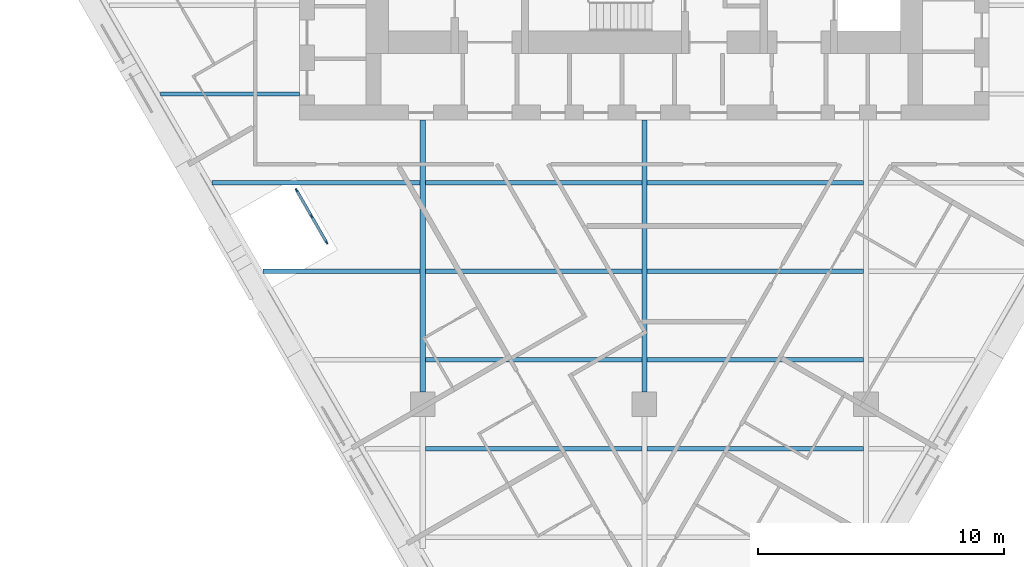
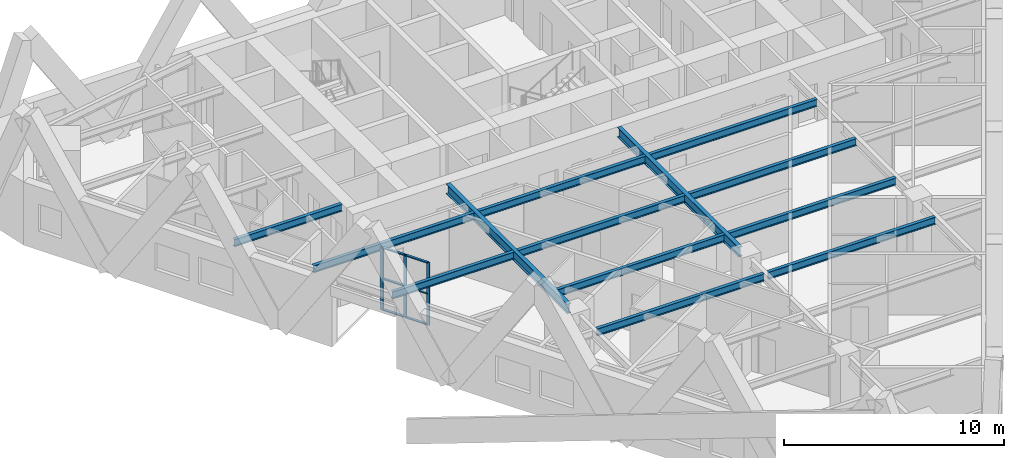
# One storey, part 2 of 12: 13 beams, 9 members, 1 element without a shape of its own.
"""IFC4 building model written with IfcOpenShell, lengths in metres."""

import ifcopenshell
import ifcopenshell.guid

model = None  # the IFC model being written
_history = None  # IfcOwnerHistory: only IFC2X3 demands one
_inside = {}  # id of a spatial element -> (the spatial element, [elements in it])
_under = {}  # id of a project, library or spatial element -> (it, [spatial elements below it])
_declared = {}  # id of a project -> (the project, [libraries it declares])
_typed = {}  # id of a type object -> (the type object, [elements of that type])
_made_of = {}  # id of a material, layer set ... -> (it, [elements and type objects made of it])


def new_model(schema):
    """Start an empty IFC model of exactly this schema.

    Asked for "IFC4X3", IfcOpenShell would pick the latest addendum, in which some entities
    have other attributes; the version numbers below select the first issue.
    IFC2X3 requires an IfcOwnerHistory on every rooted entity: one is made here for all.
    """
    global model, _history
    if schema == "IFC4X3":
        model = ifcopenshell.file(schema_version=(4, 3, 0, 0))
    else:
        model = ifcopenshell.file(schema=schema)
    _inside.clear()
    _under.clear()
    _declared.clear()
    _typed.clear()
    _made_of.clear()
    _history = None
    if model.schema == "IFC2X3":
        org = make("IfcOrganization", Name="unknown")
        user = make(
            "IfcPersonAndOrganization",
            ThePerson=make("IfcPerson", FamilyName="unknown"),
            TheOrganization=org,
        )
        app = make(
            "IfcApplication",
            ApplicationDeveloper=org,
            Version="unknown",
            ApplicationFullName="unknown",
            ApplicationIdentifier="unknown",
        )
        _history = make(
            "IfcOwnerHistory",
            OwningUser=user,
            OwningApplication=app,
            ChangeAction="ADDED",
            CreationDate=0,
        )
    return model


def make(cls, **values):
    """One entity of the class cls with the attributes given. An attribute that is None is left unset."""
    return model.create_entity(
        cls, **{name: value for name, value in values.items() if value is not None}
    )


def rooted(cls, **values):
    """An entity with a GlobalId (a new one), such as an element, a storey or a relation."""
    return make(cls, GlobalId=ifcopenshell.guid.new(), OwnerHistory=_history, **values)


def si_unit(unit_type, name, prefix=None):
    """IfcSIUnit, for example si_unit("LENGTHUNIT", "METRE", prefix="MILLI")."""
    return make("IfcSIUnit", UnitType=unit_type, Prefix=prefix, Name=name)


def assignment(units):
    """IfcUnitAssignment: the units of a project."""
    return None if units is None else make("IfcUnitAssignment", Units=units)


def point(xyz):
    """IfcCartesianPoint."""
    return None if xyz is None else make("IfcCartesianPoint", Coordinates=xyz)


def direction(xyz):
    """IfcDirection."""
    return None if xyz is None else make("IfcDirection", DirectionRatios=xyz)


def frame(location, z_axis=None, x_axis=None):
    """IfcAxis2Placement3D, a coordinate frame: its origin and axes. An axis left out is left unset."""
    return make(
        "IfcAxis2Placement3D",
        Location=point(location),
        Axis=direction(z_axis),
        RefDirection=direction(x_axis),
    )


def frame_2d(location, x_axis=None):
    """IfcAxis2Placement2D, a coordinate frame in the plane: its origin and x axis."""
    return make(
        "IfcAxis2Placement2D", Location=point(location), RefDirection=direction(x_axis)
    )


def origin():
    """The frame at (0, 0, 0) with its axes left unset."""
    return frame((0.0, 0.0, 0.0))


def origin_2d():
    """The frame at (0, 0) in the plane with its x axis left unset."""
    return frame_2d((0.0, 0.0))


def place(relative_to, where):
    """IfcLocalPlacement: puts the frame where relative to a parent placement (None: the world)."""
    return make(
        "IfcLocalPlacement", PlacementRelTo=relative_to, RelativePlacement=where
    )


def context(
    kind, dimensions, precision=None, world=None, true_north=None, identifier=None
):
    """IfcGeometricRepresentationContext, for example the 3D "Model" context."""
    return make(
        "IfcGeometricRepresentationContext",
        ContextIdentifier=identifier,
        ContextType=kind,
        CoordinateSpaceDimension=dimensions,
        Precision=precision,
        WorldCoordinateSystem=world,
        TrueNorth=true_north,
    )


def subcontext(parent, identifier, kind, view, scale=None):
    """IfcGeometricRepresentationSubContext, for example "Body" below "Model"."""
    return make(
        "IfcGeometricRepresentationSubContext",
        ContextIdentifier=identifier,
        ContextType=kind,
        ParentContext=parent,
        TargetScale=scale,
        TargetView=view,
    )


def project(units=None, contexts=None):
    """IfcProject with its units and contexts."""
    return rooted(
        "IfcProject",
        Name="project",
        RepresentationContexts=contexts,
        UnitsInContext=assignment(units),
    )


def spatial(cls, under=None, at=None, **own):
    """A site, building, storey or space (cls), placed at a placement, below another one or the project."""
    s = rooted(cls, ObjectPlacement=at, **own)
    if under is not None:
        _under.setdefault(under.id(), (under, []))[1].append(s)
    return s


def profile(cls, at=None, kind="AREA", **sizes):
    """A parametric profile (cls). Its sizes go by their IFC names, for example OverallWidth=200.0."""
    return make(cls, ProfileType=kind, Position=at, **sizes)


def rectangle(**sizes):
    """IfcRectangleProfileDef."""
    return profile("IfcRectangleProfileDef", **sizes)


def i_section(**sizes):
    """IfcIShapeProfileDef."""
    return profile("IfcIShapeProfileDef", **sizes)


def extrude(swept, where, along, depth):
    """IfcExtrudedAreaSolid: the profile swept, set in the frame where, extruded along a direction by depth."""
    return make(
        "IfcExtrudedAreaSolid",
        SweptArea=swept,
        Position=where,
        ExtrudedDirection=direction(along),
        Depth=depth,
    )


def shape(context_of_items, identifier, shape_type, items):
    """IfcShapeRepresentation: the items that make up one representation, for example the "Body"."""
    return make(
        "IfcShapeRepresentation",
        ContextOfItems=context_of_items,
        RepresentationIdentifier=identifier,
        RepresentationType=shape_type,
        Items=items,
    )


def material(Name=None, Category=None):
    """IfcMaterial."""
    return make("IfcMaterial", Name=Name, Category=Category)


def material_profile(
    of_material, cross_section, Name=None, Category=None, Priority=None
):
    """IfcMaterialProfile: a cross section and its material."""
    return make(
        "IfcMaterialProfile",
        Name=Name,
        Material=of_material,
        Profile=cross_section,
        Priority=Priority,
        Category=Category,
    )


def profile_set(profiles, Name=None, composite=None):
    """IfcMaterialProfileSet."""
    return make(
        "IfcMaterialProfileSet",
        Name=Name,
        MaterialProfiles=profiles,
        CompositeProfile=composite,
    )


def made_of(thing, what):
    """Note that an element or type object is made of a material, layer set ...; save() writes the relation."""
    if what is not None:
        _made_of.setdefault(what.id(), (what, []))[1].append(thing)
    return thing


def type_object(cls, material=None, **own):
    """A type object (cls), such as IfcWallType, which elements share."""
    return made_of(rooted(cls, **own), material)


def element(
    cls,
    number,
    at=None,
    inside=None,
    cuts=None,
    type_object=None,
    material=None,
    context=None,
    identifier="Body",
    shape_type=None,
    held_by="IfcProductDefinitionShape",
    body=None,
    shapes=None,
    **own,
):
    """One element of the class cls, such as IfcWall. Its Tag is "e" and its number.

    at: its placement. inside: the storey or other place that contains it. cuts: it is an
    opening in that element (IfcRelVoidsElement). A single representation is given by context,
    identifier, shape_type and body (its items); several are given by shapes. held_by: the class
    of the entity that holds the representations. save() writes the other relations.
    """
    e = rooted(cls, Tag="e%d" % number, ObjectPlacement=at, **own)
    if body is not None:
        shapes = [shape(context, identifier, shape_type, body)]
    if shapes is not None:
        e.Representation = make(held_by, Representations=shapes)
    if inside is not None:
        _inside.setdefault(inside.id(), (inside, []))[1].append(e)
    if cuts is not None:
        rooted(
            "IfcRelVoidsElement", RelatingBuildingElement=cuts, RelatedOpeningElement=e
        )
    if type_object is not None:
        _typed.setdefault(type_object.id(), (type_object, []))[1].append(e)
    return made_of(e, material)


def aggregate(whole, parts):
    """IfcRelAggregates: a whole, such as a stair, and the parts it consists of."""
    return rooted("IfcRelAggregates", RelatingObject=whole, RelatedObjects=parts)


def save(model, path):
    """Write the relations noted so far, then the file.

    IfcRelAggregates (storeys below a building ...), IfcRelContainedInSpatialStructure (elements
    in a storey), IfcRelDefinesByType, IfcRelAssociatesMaterial and IfcRelDeclares: one each for
    every whole, place, type object, material and project.
    """
    for whole, parts in _under.values():
        aggregate(whole, parts)
    for where, things in _inside.values():
        rooted(
            "IfcRelContainedInSpatialStructure",
            RelatedElements=things,
            RelatingStructure=where,
        )
    for kind, things in _typed.values():
        rooted("IfcRelDefinesByType", RelatedObjects=things, RelatingType=kind)
    for what, things in _made_of.values():
        rooted("IfcRelAssociatesMaterial", RelatedObjects=things, RelatingMaterial=what)
    for by, libraries in _declared.values():
        rooted("IfcRelDeclares", RelatingContext=by, RelatedDefinitions=libraries)
    model.write(path)


model = new_model("IFC4")

# Units and contexts
model_context = context("Model", 3, precision=1e-05, world=origin(), true_north=direction((0.0, 1.0)))
body_context = subcontext(model_context, "Body", "Model", "MODEL_VIEW")
ifc_project = project(units=[si_unit("LENGTHUNIT", "METRE"), si_unit("AREAUNIT", "SQUARE_METRE"), si_unit("VOLUMEUNIT", "CUBIC_METRE"), si_unit("PLANEANGLEUNIT", "RADIAN"), si_unit("MASSUNIT", "GRAM", prefix="KILO")], contexts=[model_context])

# Site, building, storey
site_placement = place(None, origin())
site = spatial("IfcSite", under=ifc_project, at=site_placement, CompositionType="ELEMENT")
building_placement = place(site_placement, origin())
building = spatial("IfcBuilding", under=site, at=building_placement, Name="Aloe Facet Convention Tower", CompositionType="ELEMENT")
storey_placement = place(building_placement, frame((0.0, 0.0, 56.0)))
storey = spatial("IfcBuildingStorey", under=building, at=storey_placement, Name="L12", CompositionType="ELEMENT", Elevation=56.0)

# Curtain wall, members
ifc_material_1 = material(Name="Aluminium, anodised", Category="aluminium")
curtain_wall_type = type_object("IfcCurtainWallType", Name="EV-CW-TERRACE", PredefinedType="USERDEFINED", material=ifc_material_1)
curtain_wall_placement = place(storey_placement, origin())
curtain_wall = element("IfcCurtainWall", 1, at=curtain_wall_placement, inside=storey, type_object=curtain_wall_type, Name="CW-T02", ObjectType="TERRACE BACK GLAZING", PredefinedType="USERDEFINED")
ifc_material_2 = material(Name="Aluminium, anodised", Category="aluminium")
ifc_material_profile_1 = material_profile(ifc_material_2, rectangle(XDim=0.06005859375, YDim=0.14990234375, at=origin_2d()), Name="AL 60x150")
ifc_profile_set_1 = profile_set([ifc_material_profile_1], Name="Aluminium, anodised")
member_type_1 = type_object("IfcMemberType", Name="EV-MULL-TERRACE", PredefinedType="MULLION", material=ifc_profile_set_1)
member_1_placement = place(storey_placement, frame((65.8759765625, 116.68408203125, -0.14990234375), z_axis=(0.0, 0.0, 1.0), x_axis=(0.866025403837, 0.499999999909, 0.0)))
member_1 = element("IfcMember", 2, at=member_1_placement, type_object=member_type_1, Name="CW-T02 mullion 1", PredefinedType="MULLION", context=body_context, shape_type="SweptSolid", body=[
    extrude(rectangle(XDim=0.06005859375, YDim=0.14990234375, at=origin_2d()), origin(), (0.0, 0.0, 1.0), 3.5),
])
member_2_placement = place(storey_placement, frame((66.48583984375, 115.62744140625, -0.14990234375), z_axis=(0.0, 0.0, 1.0), x_axis=(0.866025403837, 0.499999999909, 0.0)))
member_2 = element("IfcMember", 3, at=member_2_placement, type_object=member_type_1, Name="CW-T02 mullion 2", PredefinedType="MULLION", context=body_context, shape_type="SweptSolid", body=[
    extrude(rectangle(XDim=0.06005859375, YDim=0.14990234375, at=origin_2d()), origin(), (0.0, 0.0, 1.0), 3.5),
])
member_3_placement = place(storey_placement, frame((67.095947265625, 114.571044921875, -0.14990234375), z_axis=(0.0, 0.0, 1.0), x_axis=(0.866025403837, 0.499999999909, 0.0)))
member_3 = element("IfcMember", 4, at=member_3_placement, type_object=member_type_1, Name="CW-T02 mullion 3", PredefinedType="MULLION", context=body_context, shape_type="SweptSolid", body=[
    extrude(rectangle(XDim=0.06005859375, YDim=0.14990234375, at=origin_2d()), origin(), (0.0, 0.0, 1.0), 3.5),
])
ifc_material_3 = material(Name="Aluminium, anodised", Category="aluminium")
ifc_material_profile_2 = material_profile(ifc_material_3, rectangle(XDim=0.1201171875, YDim=0.06005859375, at=origin_2d()), Name="AL 120x60")
ifc_profile_set_2 = profile_set([ifc_material_profile_2], Name="Aluminium, anodised")
member_type_2 = type_object("IfcMemberType", Name="EV-TRAN-TERRACE", PredefinedType="USERDEFINED", material=ifc_profile_set_2)
member_4_placement = place(storey_placement, frame((65.890869140625, 116.658203125, -0.1201171875), z_axis=(0.500032142234, -0.866006845662, 0.0), x_axis=(0.866006845662, 0.500032142234, 0.0)))
member_4 = element("IfcMember", 5, at=member_4_placement, type_object=member_type_2, Name="CW-T02 transom 1.1", ObjectType="TRANSOM", PredefinedType="USERDEFINED", context=body_context, shape_type="SweptSolid", body=[
    extrude(rectangle(XDim=0.1201171875, YDim=0.06005859375, at=origin_2d()), origin(), (0.0, 0.0, 1.0), 1.16015625),
])
member_5_placement = place(storey_placement, frame((65.890869140625, 116.658203125, 1.60009765625), z_axis=(0.500032142234, -0.866006845662, 0.0), x_axis=(0.866006845662, 0.500032142234, 0.0)))
member_5 = element("IfcMember", 6, at=member_5_placement, type_object=member_type_2, Name="CW-T02 transom 1.2", ObjectType="TRANSOM", PredefinedType="USERDEFINED", context=body_context, shape_type="SweptSolid", body=[
    extrude(rectangle(XDim=0.1201171875, YDim=0.06005859375, at=origin_2d()), origin(), (0.0, 0.0, 1.0), 1.16015625),
])
member_6_placement = place(storey_placement, frame((65.890869140625, 116.658203125, 3.320068359375), z_axis=(0.500032142234, -0.866006845662, 0.0), x_axis=(0.866006845662, 0.500032142234, 0.0)))
member_6 = element("IfcMember", 7, at=member_6_placement, type_object=member_type_2, Name="CW-T02 transom 1.3", ObjectType="TRANSOM", PredefinedType="USERDEFINED", context=body_context, shape_type="SweptSolid", body=[
    extrude(rectangle(XDim=0.1201171875, YDim=0.06005859375, at=origin_2d()), origin(), (0.0, 0.0, 1.0), 1.16015625),
])
member_7_placement = place(storey_placement, frame((66.5009765625, 115.6015625, -0.1201171875), z_axis=(0.500032142234, -0.866006845662, 0.0), x_axis=(0.866006845662, 0.500032142234, 0.0)))
member_7 = element("IfcMember", 8, at=member_7_placement, type_object=member_type_2, Name="CW-T02 transom 2.1", ObjectType="TRANSOM", PredefinedType="USERDEFINED", context=body_context, shape_type="SweptSolid", body=[
    extrude(rectangle(XDim=0.1201171875, YDim=0.06005859375, at=origin_2d()), origin(), (0.0, 0.0, 1.0), 1.16015625),
])
member_8_placement = place(storey_placement, frame((66.5009765625, 115.6015625, 1.60009765625), z_axis=(0.500032142234, -0.866006845662, 0.0), x_axis=(0.866006845662, 0.500032142234, 0.0)))
member_8 = element("IfcMember", 9, at=member_8_placement, type_object=member_type_2, Name="CW-T02 transom 2.2", ObjectType="TRANSOM", PredefinedType="USERDEFINED", context=body_context, shape_type="SweptSolid", body=[
    extrude(rectangle(XDim=0.1201171875, YDim=0.06005859375, at=origin_2d()), origin(), (0.0, 0.0, 1.0), 1.16015625),
])
member_9_placement = place(storey_placement, frame((66.5009765625, 115.6015625, 3.320068359375), z_axis=(0.500032142234, -0.866006845662, 0.0), x_axis=(0.866006845662, 0.500032142234, 0.0)))
member_9 = element("IfcMember", 10, at=member_9_placement, type_object=member_type_2, Name="CW-T02 transom 2.3", ObjectType="TRANSOM", PredefinedType="USERDEFINED", context=body_context, shape_type="SweptSolid", body=[
    extrude(rectangle(XDim=0.1201171875, YDim=0.06005859375, at=origin_2d()), origin(), (0.0, 0.0, 1.0), 1.16015625),
])
aggregate(curtain_wall, [member_1, member_2, member_3, member_4, member_5, member_6, member_7, member_8, member_9])

# Beams
ifc_material_4 = material(Name="Steel S355", Category="steel")
ifc_material_profile_3 = material_profile(ifc_material_4, i_section(OverallWidth=0.177734375, OverallDepth=0.402587890625, WebThickness=0.0078125, FlangeThickness=0.010986328125, FilletRadius=0.01025390625, at=origin_2d()), Name="UB 406x178x54")
ifc_profile_set_3 = profile_set([ifc_material_profile_3], Name="Steel S355")
beam_type_1 = type_object("IfcBeamType", Name="SF-B-UB406x178x54", PredefinedType="BEAM", material=ifc_profile_set_3)
beam_1_placement = place(storey_placement, frame((60.351318359375, 120.60009765625, 3.148681640625), z_axis=(1.0, 0.0, 0.0), x_axis=(0.0, 1.0, 0.0)))
element("IfcBeam", 11, at=beam_1_placement, inside=storey, type_object=beam_type_1, Name="Floor beam FB-Z1B-019", PredefinedType="BEAM", context=body_context, shape_type="SweptSolid", body=[
    extrude(i_section(OverallWidth=0.177734375, OverallDepth=0.402587890625, WebThickness=0.0078125, FlangeThickness=0.010986328125, FilletRadius=0.01025390625, at=origin_2d()), origin(), (0.0, 0.0, 1.0), 5.648681640625),
])
beam_2_placement = place(storey_placement, frame((62.429931640625, 117.0, 3.148681640625), z_axis=(1.0, 0.0, 0.0), x_axis=(0.0, 1.0, 0.0)))
element("IfcBeam", 12, at=beam_2_placement, inside=storey, type_object=beam_type_1, Name="Floor beam FB-Z1B-020", PredefinedType="BEAM", context=body_context, shape_type="SweptSolid", body=[
    extrude(i_section(OverallWidth=0.177734375, OverallDepth=0.402587890625, WebThickness=0.0078125, FlangeThickness=0.010986328125, FilletRadius=0.01025390625, at=origin_2d()), origin(), (0.0, 0.0, 1.0), 8.464599609375),
])
beam_3_placement = place(storey_placement, frame((64.50830078125, 113.39990234375, 3.148681640625), z_axis=(1.0, 0.0, 0.0), x_axis=(0.0, 1.0, 0.0)))
element("IfcBeam", 13, at=beam_3_placement, inside=storey, type_object=beam_type_1, Name="Floor beam FB-Z1B-021", PredefinedType="BEAM", context=body_context, shape_type="SweptSolid", body=[
    extrude(i_section(OverallWidth=0.177734375, OverallDepth=0.402587890625, WebThickness=0.0078125, FlangeThickness=0.010986328125, FilletRadius=0.01025390625, at=origin_2d()), origin(), (0.0, 0.0, 1.0), 6.38623046875),
])
for number, where, z_axis, x_axis, name in (
    (14, (71.10546875, 106.199951171875, 3.148681640625), (1.0, 0.0, 0.0), (0.0, 1.0, 0.0), "Floor beam FB-Z1B-025"),
    (15, (71.10546875, 109.800048828125, 3.148681640625), (1.0, 0.0, 0.0), (0.0, 1.0, 0.0), "Floor beam FB-Z1B-026"),
    (16, (71.10546875, 113.39990234375, 3.148681640625), (1.0, 0.0, 0.0), (0.0, 1.0, 0.0), "Floor beam FB-Z1B-027"),
    (17, (71.10546875, 117.0, 3.148681640625), (1.0, 0.0, 0.0), (0.0, 1.0, 0.0), "Floor beam FB-Z1B-028"),
    (18, (80.10546875, 106.199951171875, 3.148681640625), (1.0, 0.0, 0.0), (0.0, 1.0, 0.0), "Floor beam FB-Z1B-035"),
    (19, (80.10546875, 109.800048828125, 3.148681640625), (1.0, 0.0, 0.0), (0.0, 1.0, 0.0), "Floor beam FB-Z1B-036"),
    (20, (80.10546875, 113.39990234375, 3.148681640625), (1.0, 0.0, 0.0), (0.0, 1.0, 0.0), "Floor beam FB-Z1B-037"),
    (21, (80.10546875, 117.0, 3.148681640625), (1.0, 0.0, 0.0), (0.0, 1.0, 0.0), "Floor beam FB-Z1B-038"),
):
    element("IfcBeam", number, at=place(storey_placement, frame(where, z_axis=z_axis, x_axis=x_axis)), inside=storey, type_object=beam_type_1, Name=name, PredefinedType="BEAM", context=body_context, shape_type="SweptSolid", body=[
        extrude(i_section(OverallWidth=0.177734375, OverallDepth=0.402587890625, WebThickness=0.0078125, FlangeThickness=0.010986328125, FilletRadius=0.01025390625, at=origin_2d()), origin(), (0.0, 0.0, 1.0), 8.7890625),
    ])
ifc_material_5 = material(Name="Steel S355", Category="steel")
ifc_material_profile_4 = material_profile(ifc_material_5, i_section(OverallWidth=0.210693359375, OverallDepth=0.53955078125, WebThickness=0.01171875, FlangeThickness=0.018798828125, FilletRadius=0.0126953125, at=origin_2d()), Name="UB 533x210x109")
ifc_profile_set_4 = profile_set([ifc_material_profile_4], Name="Steel S355")
beam_type_2 = type_object("IfcBeamType", Name="SF-B-UB533x210x109", PredefinedType="BEAM", material=ifc_profile_set_4)
for number, where, z_axis, x_axis, name in (
    (22, (71.0, 119.550048828125, 3.080078125), (0.0, -1.0, 0.0), (1.0, 0.0, 0.0), "Floor beam FB-Z1B-010"),
    (23, (80.0, 119.550048828125, 3.080078125), (0.0, -1.0, 0.0), (1.0, 0.0, 0.0), "Floor beam FB-Z1B-013"),
):
    element("IfcBeam", number, at=place(storey_placement, frame(where, z_axis=z_axis, x_axis=x_axis)), inside=storey, type_object=beam_type_2, Name=name, PredefinedType="BEAM", context=body_context, shape_type="SweptSolid", body=[
        extrude(i_section(OverallWidth=0.210693359375, OverallDepth=0.53955078125, WebThickness=0.01171875, FlangeThickness=0.018798828125, FilletRadius=0.0126953125, at=origin_2d()), origin(), (0.0, 0.0, 1.0), 11.050048828125),
    ])

save(model, "model.ifc")
